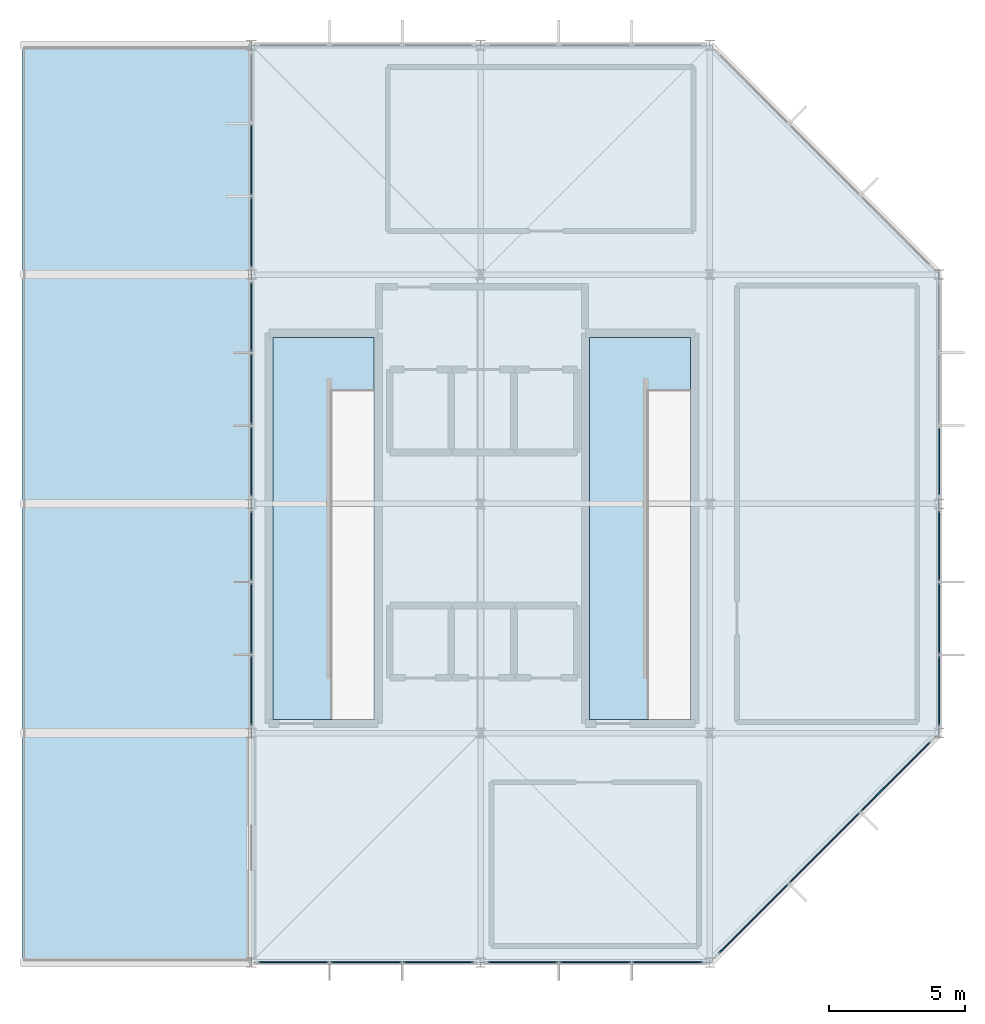
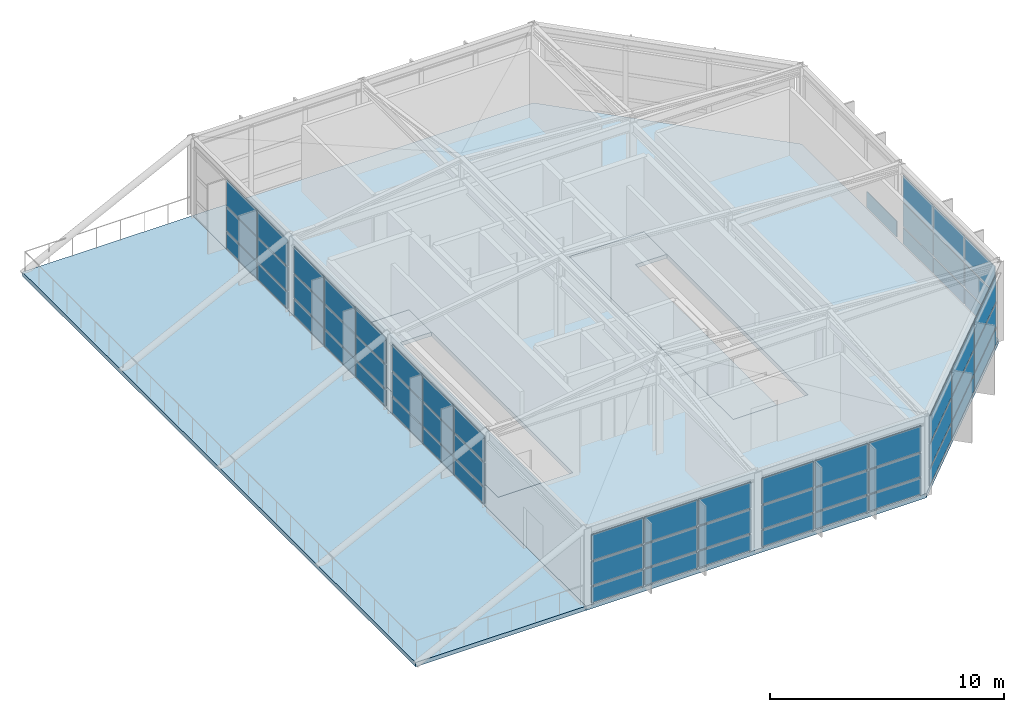
# One storey, part 6 of 9: 61 plates, 4 slabs, 8 elements without a shape of their own.
"""IFC4 building model written with IfcOpenShell, lengths in metres."""

from ifc_helpers import new_model, si_unit, direction, frame, origin, origin_2d, place, context, subcontext, project, spatial, polyline, rectangle, outline, extrude, material, layer, layer_set, type_object, element, aggregate, save


model = new_model("IFC4")

# Units and contexts
model_context = context("Model", 3, precision=1e-05, world=origin(), true_north=direction((0.0, 1.0)))
body_context = subcontext(model_context, "Body", "Model", "MODEL_VIEW")
ifc_project = project(units=[si_unit("LENGTHUNIT", "METRE"), si_unit("AREAUNIT", "SQUARE_METRE"), si_unit("VOLUMEUNIT", "CUBIC_METRE"), si_unit("PLANEANGLEUNIT", "RADIAN"), si_unit("MASSUNIT", "GRAM", prefix="KILO")], contexts=[model_context])

# Site, building, storey
site_placement = place(None, origin())
site = spatial("IfcSite", under=ifc_project, at=site_placement, CompositionType="ELEMENT")
building_placement = place(site_placement, origin())
building = spatial("IfcBuilding", under=site, at=building_placement, Name="Xuanlan Plaza Opera House", CompositionType="ELEMENT")
storey_placement = place(building_placement, frame((0.0, 0.0, 74.39990234375)))
storey = spatial("IfcBuildingStorey", under=building, at=storey_placement, Name="ROOF", CompositionType="ELEMENT", Elevation=74.39990234375)

# Curtain wall, plates
ifc_material_1 = material(Name="Anodised Aluminium 6063-T6 and Low-E Glass", Category="aluminium")
curtain_wall_type_1 = type_object("IfcCurtainWallType", Name="ENV-CW-CW-03", PredefinedType="USERDEFINED", material=ifc_material_1)
curtain_wall_1_placement = place(storey_placement, origin())
curtain_wall_1 = element("IfcCurtainWall", 1, at=curtain_wall_1_placement, inside=storey, type_object=curtain_wall_type_1, Name="Unitised Curtain Wall ROOF-001", ObjectType="UNITISED CURTAIN WALL", PredefinedType="USERDEFINED")
ifc_material_2 = material(Name="Laminated Acoustic Double Glazing", Category="glass")
ifc_layer_1 = layer(ifc_material_2, 0.0400390625)
ifc_layer_set_1 = layer_set([ifc_layer_1], Name="Laminated Acoustic Double Glazing")
plate_type = type_object("IfcPlateType", Name="ENV-CWP-04", PredefinedType="CURTAIN_PANEL", material=ifc_layer_set_1)
plate_1_placement = place(storey_placement, frame((135.949951171875, 42.0, 0.080078125), z_axis=(0.0, 0.0, 1.0), x_axis=(1.0, 0.0, 0.0)))
plate_1 = element("IfcPlate", 2, at=plate_1_placement, type_object=plate_type, Name="CW-03 panel 1.1", PredefinedType="CURTAIN_PANEL", context=body_context, shape_type="SweptSolid", body=[
    extrude(rectangle(XDim=2.550048828125, YDim=0.0400390625, at=origin_2d()), origin(), (0.0, 0.0, 1.0), 0.830078125),
])
plate_2_placement = place(storey_placement, frame((135.949951171875, 42.0, 0.990234375), z_axis=(0.0, 0.0, 1.0), x_axis=(1.0, 0.0, 0.0)))
plate_2 = element("IfcPlate", 3, at=plate_2_placement, type_object=plate_type, Name="CW-03 panel 1.2", PredefinedType="CURTAIN_PANEL", context=body_context, shape_type="SweptSolid", body=[
    extrude(rectangle(XDim=2.550048828125, YDim=0.0400390625, at=origin_2d()), origin(), (0.0, 0.0, 1.0), 1.219970703125),
])
plate_3_placement = place(storey_placement, frame((135.949951171875, 42.0, 2.2900390625), z_axis=(0.0, 0.0, 1.0), x_axis=(1.0, 0.0, 0.0)))
plate_3 = element("IfcPlate", 4, at=plate_3_placement, type_object=plate_type, Name="CW-03 panel 1.3", PredefinedType="CURTAIN_PANEL", context=body_context, shape_type="SweptSolid", body=[
    extrude(rectangle(XDim=2.550048828125, YDim=0.0400390625, at=origin_2d()), origin(), (0.0, 0.0, 1.0), 1.35009765625),
])
plate_4_placement = place(storey_placement, frame((138.60009765625, 42.0, 0.080078125), z_axis=(0.0, 0.0, 1.0), x_axis=(1.0, 0.0, 0.0)))
plate_4 = element("IfcPlate", 5, at=plate_4_placement, type_object=plate_type, Name="CW-03 panel 2.1", PredefinedType="CURTAIN_PANEL", context=body_context, shape_type="SweptSolid", body=[
    extrude(rectangle(XDim=2.590087890625, YDim=0.0400390625, at=origin_2d()), origin(), (0.0, 0.0, 1.0), 0.830078125),
])
plate_5_placement = place(storey_placement, frame((138.60009765625, 42.0, 0.990234375), z_axis=(0.0, 0.0, 1.0), x_axis=(1.0, 0.0, 0.0)))
plate_5 = element("IfcPlate", 6, at=plate_5_placement, type_object=plate_type, Name="CW-03 panel 2.2", PredefinedType="CURTAIN_PANEL", context=body_context, shape_type="SweptSolid", body=[
    extrude(rectangle(XDim=2.590087890625, YDim=0.0400390625, at=origin_2d()), origin(), (0.0, 0.0, 1.0), 1.219970703125),
])
plate_6_placement = place(storey_placement, frame((138.60009765625, 42.0, 2.2900390625), z_axis=(0.0, 0.0, 1.0), x_axis=(1.0, 0.0, 0.0)))
plate_6 = element("IfcPlate", 7, at=plate_6_placement, type_object=plate_type, Name="CW-03 panel 2.3", PredefinedType="CURTAIN_PANEL", context=body_context, shape_type="SweptSolid", body=[
    extrude(rectangle(XDim=2.590087890625, YDim=0.0400390625, at=origin_2d()), origin(), (0.0, 0.0, 1.0), 1.35009765625),
])
plate_7_placement = place(storey_placement, frame((141.25, 42.0, 0.080078125), z_axis=(0.0, 0.0, 1.0), x_axis=(1.0, 0.0, 0.0)))
plate_7 = element("IfcPlate", 8, at=plate_7_placement, type_object=plate_type, Name="CW-03 panel 3.1", PredefinedType="CURTAIN_PANEL", context=body_context, shape_type="SweptSolid", body=[
    extrude(rectangle(XDim=2.550048828125, YDim=0.0400390625, at=origin_2d()), origin(), (0.0, 0.0, 1.0), 0.830078125),
])
plate_8_placement = place(storey_placement, frame((141.25, 42.0, 0.990234375), z_axis=(0.0, 0.0, 1.0), x_axis=(1.0, 0.0, 0.0)))
plate_8 = element("IfcPlate", 9, at=plate_8_placement, type_object=plate_type, Name="CW-03 panel 3.2", PredefinedType="CURTAIN_PANEL", context=body_context, shape_type="SweptSolid", body=[
    extrude(rectangle(XDim=2.550048828125, YDim=0.0400390625, at=origin_2d()), origin(), (0.0, 0.0, 1.0), 1.219970703125),
])
plate_9_placement = place(storey_placement, frame((141.25, 42.0, 2.2900390625), z_axis=(0.0, 0.0, 1.0), x_axis=(1.0, 0.0, 0.0)))
plate_9 = element("IfcPlate", 10, at=plate_9_placement, type_object=plate_type, Name="CW-03 panel 3.3", PredefinedType="CURTAIN_PANEL", context=body_context, shape_type="SweptSolid", body=[
    extrude(rectangle(XDim=2.550048828125, YDim=0.0400390625, at=origin_2d()), origin(), (0.0, 0.0, 1.0), 1.35009765625),
])
aggregate(curtain_wall_1, [plate_1, plate_2, plate_3, plate_4, plate_5, plate_6, plate_7, plate_8, plate_9])

curtain_wall_type_2 = type_object("IfcCurtainWallType", Name="ENV-CW-CW-04", PredefinedType="USERDEFINED", material=ifc_material_1)
curtain_wall_2_placement = place(storey_placement, origin())
curtain_wall_2 = element("IfcCurtainWall", 11, at=curtain_wall_2_placement, inside=storey, type_object=curtain_wall_type_2, Name="Unitised Curtain Wall ROOF-002", ObjectType="UNITISED CURTAIN WALL", PredefinedType="USERDEFINED")
plate_10_placement = place(storey_placement, frame((144.35009765625, 42.0, 0.080078125), z_axis=(0.0, 0.0, 1.0), x_axis=(1.0, 0.0, 0.0)))
plate_10 = element("IfcPlate", 12, at=plate_10_placement, type_object=plate_type, Name="CW-04 panel 1.1", PredefinedType="CURTAIN_PANEL", context=body_context, shape_type="SweptSolid", body=[
    extrude(rectangle(XDim=2.550048828125, YDim=0.0400390625, at=origin_2d()), origin(), (0.0, 0.0, 1.0), 0.830078125),
])
plate_11_placement = place(storey_placement, frame((144.35009765625, 42.0, 0.990234375), z_axis=(0.0, 0.0, 1.0), x_axis=(1.0, 0.0, 0.0)))
plate_11 = element("IfcPlate", 13, at=plate_11_placement, type_object=plate_type, Name="CW-04 panel 1.2", PredefinedType="CURTAIN_PANEL", context=body_context, shape_type="SweptSolid", body=[
    extrude(rectangle(XDim=2.550048828125, YDim=0.0400390625, at=origin_2d()), origin(), (0.0, 0.0, 1.0), 1.219970703125),
])
plate_12_placement = place(storey_placement, frame((144.35009765625, 42.0, 2.2900390625), z_axis=(0.0, 0.0, 1.0), x_axis=(1.0, 0.0, 0.0)))
plate_12 = element("IfcPlate", 14, at=plate_12_placement, type_object=plate_type, Name="CW-04 panel 1.3", PredefinedType="CURTAIN_PANEL", context=body_context, shape_type="SweptSolid", body=[
    extrude(rectangle(XDim=2.550048828125, YDim=0.0400390625, at=origin_2d()), origin(), (0.0, 0.0, 1.0), 1.35009765625),
])
plate_13_placement = place(storey_placement, frame((147.0, 42.0, 0.080078125), z_axis=(0.0, 0.0, 1.0), x_axis=(1.0, 0.0, 0.0)))
plate_13 = element("IfcPlate", 15, at=plate_13_placement, type_object=plate_type, Name="CW-04 panel 2.1", PredefinedType="CURTAIN_PANEL", context=body_context, shape_type="SweptSolid", body=[
    extrude(rectangle(XDim=2.590087890625, YDim=0.0400390625, at=origin_2d()), origin(), (0.0, 0.0, 1.0), 0.830078125),
])
plate_14_placement = place(storey_placement, frame((147.0, 42.0, 0.990234375), z_axis=(0.0, 0.0, 1.0), x_axis=(1.0, 0.0, 0.0)))
plate_14 = element("IfcPlate", 16, at=plate_14_placement, type_object=plate_type, Name="CW-04 panel 2.2", PredefinedType="CURTAIN_PANEL", context=body_context, shape_type="SweptSolid", body=[
    extrude(rectangle(XDim=2.590087890625, YDim=0.0400390625, at=origin_2d()), origin(), (0.0, 0.0, 1.0), 1.219970703125),
])
plate_15_placement = place(storey_placement, frame((147.0, 42.0, 2.2900390625), z_axis=(0.0, 0.0, 1.0), x_axis=(1.0, 0.0, 0.0)))
plate_15 = element("IfcPlate", 17, at=plate_15_placement, type_object=plate_type, Name="CW-04 panel 2.3", PredefinedType="CURTAIN_PANEL", context=body_context, shape_type="SweptSolid", body=[
    extrude(rectangle(XDim=2.590087890625, YDim=0.0400390625, at=origin_2d()), origin(), (0.0, 0.0, 1.0), 1.35009765625),
])
plate_16_placement = place(storey_placement, frame((149.64990234375, 42.0, 0.080078125), z_axis=(0.0, 0.0, 1.0), x_axis=(1.0, 0.0, 0.0)))
plate_16 = element("IfcPlate", 18, at=plate_16_placement, type_object=plate_type, Name="CW-04 panel 3.1", PredefinedType="CURTAIN_PANEL", context=body_context, shape_type="SweptSolid", body=[
    extrude(rectangle(XDim=2.550048828125, YDim=0.0400390625, at=origin_2d()), origin(), (0.0, 0.0, 1.0), 0.830078125),
])
plate_17_placement = place(storey_placement, frame((149.64990234375, 42.0, 0.990234375), z_axis=(0.0, 0.0, 1.0), x_axis=(1.0, 0.0, 0.0)))
plate_17 = element("IfcPlate", 19, at=plate_17_placement, type_object=plate_type, Name="CW-04 panel 3.2", PredefinedType="CURTAIN_PANEL", context=body_context, shape_type="SweptSolid", body=[
    extrude(rectangle(XDim=2.550048828125, YDim=0.0400390625, at=origin_2d()), origin(), (0.0, 0.0, 1.0), 1.219970703125),
])
plate_18_placement = place(storey_placement, frame((149.64990234375, 42.0, 2.2900390625), z_axis=(0.0, 0.0, 1.0), x_axis=(1.0, 0.0, 0.0)))
plate_18 = element("IfcPlate", 20, at=plate_18_placement, type_object=plate_type, Name="CW-04 panel 3.3", PredefinedType="CURTAIN_PANEL", context=body_context, shape_type="SweptSolid", body=[
    extrude(rectangle(XDim=2.550048828125, YDim=0.0400390625, at=origin_2d()), origin(), (0.0, 0.0, 1.0), 1.35009765625),
])
aggregate(curtain_wall_2, [plate_10, plate_11, plate_12, plate_13, plate_14, plate_15, plate_16, plate_17, plate_18])

curtain_wall_3_placement = place(storey_placement, origin())
curtain_wall_3 = element("IfcCurtainWall", 21, at=curtain_wall_3_placement, inside=storey, type_object=curtain_wall_type_1, Name="Unitised Curtain Wall ROOF-003", ObjectType="UNITISED CURTAIN WALL", PredefinedType="USERDEFINED")
plate_19_placement = place(storey_placement, frame((152.796875, 43.596923828125, 0.080078125), z_axis=(0.0, 0.0, 1.0), x_axis=(0.707106781187, 0.707106781187, 0.0)))
plate_19 = element("IfcPlate", 22, at=plate_19_placement, type_object=plate_type, Name="CW-03 panel 1.1", PredefinedType="CURTAIN_PANEL", context=body_context, shape_type="SweptSolid", body=[
    extrude(rectangle(XDim=3.58154296875, YDim=0.0400390625, at=origin_2d()), origin(), (0.0, 0.0, 1.0), 0.830078125),
])
plate_20_placement = place(storey_placement, frame((152.796875, 43.596923828125, 0.990234375), z_axis=(0.0, 0.0, 1.0), x_axis=(0.707106781187, 0.707106781187, 0.0)))
plate_20 = element("IfcPlate", 23, at=plate_20_placement, type_object=plate_type, Name="CW-03 panel 1.2", PredefinedType="CURTAIN_PANEL", context=body_context, shape_type="SweptSolid", body=[
    extrude(rectangle(XDim=3.58154296875, YDim=0.0400390625, at=origin_2d()), origin(), (0.0, 0.0, 1.0), 1.219970703125),
])
plate_21_placement = place(storey_placement, frame((152.796875, 43.596923828125, 2.2900390625), z_axis=(0.0, 0.0, 1.0), x_axis=(0.707106781187, 0.707106781187, 0.0)))
plate_21 = element("IfcPlate", 24, at=plate_21_placement, type_object=plate_type, Name="CW-03 panel 1.3", PredefinedType="CURTAIN_PANEL", context=body_context, shape_type="SweptSolid", body=[
    extrude(rectangle(XDim=3.58154296875, YDim=0.0400390625, at=origin_2d()), origin(), (0.0, 0.0, 1.0), 1.35009765625),
])
plate_22_placement = place(storey_placement, frame((155.39990234375, 46.199951171875, 0.080078125), z_axis=(0.0, 0.0, 1.0), x_axis=(0.707106781187, 0.707106781187, 0.0)))
plate_22 = element("IfcPlate", 25, at=plate_22_placement, type_object=plate_type, Name="CW-03 panel 2.1", PredefinedType="CURTAIN_PANEL", context=body_context, shape_type="SweptSolid", body=[
    extrude(rectangle(XDim=3.62158203125, YDim=0.0400390625, at=origin_2d()), origin(), (0.0, 0.0, 1.0), 0.830078125),
])
plate_23_placement = place(storey_placement, frame((155.39990234375, 46.199951171875, 0.990234375), z_axis=(0.0, 0.0, 1.0), x_axis=(0.707106781187, 0.707106781187, 0.0)))
plate_23 = element("IfcPlate", 26, at=plate_23_placement, type_object=plate_type, Name="CW-03 panel 2.2", PredefinedType="CURTAIN_PANEL", context=body_context, shape_type="SweptSolid", body=[
    extrude(rectangle(XDim=3.62158203125, YDim=0.0400390625, at=origin_2d()), origin(), (0.0, 0.0, 1.0), 1.219970703125),
])
plate_24_placement = place(storey_placement, frame((155.39990234375, 46.199951171875, 2.2900390625), z_axis=(0.0, 0.0, 1.0), x_axis=(0.707106781187, 0.707106781187, 0.0)))
plate_24 = element("IfcPlate", 27, at=plate_24_placement, type_object=plate_type, Name="CW-03 panel 2.3", PredefinedType="CURTAIN_PANEL", context=body_context, shape_type="SweptSolid", body=[
    extrude(rectangle(XDim=3.62158203125, YDim=0.0400390625, at=origin_2d()), origin(), (0.0, 0.0, 1.0), 1.35009765625),
])
plate_25_placement = place(storey_placement, frame((158.003173828125, 48.80322265625, 0.080078125), z_axis=(0.0, 0.0, 1.0), x_axis=(0.707106781187, 0.707106781187, 0.0)))
plate_25 = element("IfcPlate", 28, at=plate_25_placement, type_object=plate_type, Name="CW-03 panel 3.1", PredefinedType="CURTAIN_PANEL", context=body_context, shape_type="SweptSolid", body=[
    extrude(rectangle(XDim=3.58154296875, YDim=0.0400390625, at=origin_2d()), origin(), (0.0, 0.0, 1.0), 0.830078125),
])
plate_26_placement = place(storey_placement, frame((158.003173828125, 48.80322265625, 0.990234375), z_axis=(0.0, 0.0, 1.0), x_axis=(0.707106781187, 0.707106781187, 0.0)))
plate_26 = element("IfcPlate", 29, at=plate_26_placement, type_object=plate_type, Name="CW-03 panel 3.2", PredefinedType="CURTAIN_PANEL", context=body_context, shape_type="SweptSolid", body=[
    extrude(rectangle(XDim=3.58154296875, YDim=0.0400390625, at=origin_2d()), origin(), (0.0, 0.0, 1.0), 1.219970703125),
])
plate_27_placement = place(storey_placement, frame((158.003173828125, 48.80322265625, 2.2900390625), z_axis=(0.0, 0.0, 1.0), x_axis=(0.707106781187, 0.707106781187, 0.0)))
plate_27 = element("IfcPlate", 30, at=plate_27_placement, type_object=plate_type, Name="CW-03 panel 3.3", PredefinedType="CURTAIN_PANEL", context=body_context, shape_type="SweptSolid", body=[
    extrude(rectangle(XDim=3.58154296875, YDim=0.0400390625, at=origin_2d()), origin(), (0.0, 0.0, 1.0), 1.35009765625),
])
aggregate(curtain_wall_3, [plate_19, plate_20, plate_21, plate_22, plate_23, plate_24, plate_25, plate_26, plate_27])

curtain_wall_4_placement = place(storey_placement, origin())
curtain_wall_4 = element("IfcCurtainWall", 31, at=curtain_wall_4_placement, inside=storey, type_object=curtain_wall_type_2, Name="Unitised Curtain Wall ROOF-004", ObjectType="UNITISED CURTAIN WALL", PredefinedType="USERDEFINED")
plate_28_placement = place(storey_placement, frame((159.60009765625, 51.949951171875, 0.080078125), z_axis=(0.0, 0.0, 1.0), x_axis=(0.0, 1.0, 0.0)))
plate_28 = element("IfcPlate", 32, at=plate_28_placement, type_object=plate_type, Name="CW-04 panel 1.1", PredefinedType="CURTAIN_PANEL", context=body_context, shape_type="SweptSolid", body=[
    extrude(rectangle(XDim=2.550048828125, YDim=0.0400390625, at=origin_2d()), origin(), (0.0, 0.0, 1.0), 0.830078125),
])
plate_29_placement = place(storey_placement, frame((159.60009765625, 51.949951171875, 0.990234375), z_axis=(0.0, 0.0, 1.0), x_axis=(0.0, 1.0, 0.0)))
plate_29 = element("IfcPlate", 33, at=plate_29_placement, type_object=plate_type, Name="CW-04 panel 1.2", PredefinedType="CURTAIN_PANEL", context=body_context, shape_type="SweptSolid", body=[
    extrude(rectangle(XDim=2.550048828125, YDim=0.0400390625, at=origin_2d()), origin(), (0.0, 0.0, 1.0), 1.219970703125),
])
plate_30_placement = place(storey_placement, frame((159.60009765625, 51.949951171875, 2.2900390625), z_axis=(0.0, 0.0, 1.0), x_axis=(0.0, 1.0, 0.0)))
plate_30 = element("IfcPlate", 34, at=plate_30_placement, type_object=plate_type, Name="CW-04 panel 1.3", PredefinedType="CURTAIN_PANEL", context=body_context, shape_type="SweptSolid", body=[
    extrude(rectangle(XDim=2.550048828125, YDim=0.0400390625, at=origin_2d()), origin(), (0.0, 0.0, 1.0), 1.35009765625),
])
plate_31_placement = place(storey_placement, frame((159.60009765625, 54.60009765625, 0.080078125), z_axis=(0.0, 0.0, 1.0), x_axis=(0.0, 1.0, 0.0)))
plate_31 = element("IfcPlate", 35, at=plate_31_placement, type_object=plate_type, Name="CW-04 panel 2.1", PredefinedType="CURTAIN_PANEL", context=body_context, shape_type="SweptSolid", body=[
    extrude(rectangle(XDim=2.590087890625, YDim=0.0400390625, at=origin_2d()), origin(), (0.0, 0.0, 1.0), 0.830078125),
])
plate_32_placement = place(storey_placement, frame((159.60009765625, 54.60009765625, 0.990234375), z_axis=(0.0, 0.0, 1.0), x_axis=(0.0, 1.0, 0.0)))
plate_32 = element("IfcPlate", 36, at=plate_32_placement, type_object=plate_type, Name="CW-04 panel 2.2", PredefinedType="CURTAIN_PANEL", context=body_context, shape_type="SweptSolid", body=[
    extrude(rectangle(XDim=2.590087890625, YDim=0.0400390625, at=origin_2d()), origin(), (0.0, 0.0, 1.0), 1.219970703125),
])
plate_33_placement = place(storey_placement, frame((159.60009765625, 54.60009765625, 2.2900390625), z_axis=(0.0, 0.0, 1.0), x_axis=(0.0, 1.0, 0.0)))
plate_33 = element("IfcPlate", 37, at=plate_33_placement, type_object=plate_type, Name="CW-04 panel 2.3", PredefinedType="CURTAIN_PANEL", context=body_context, shape_type="SweptSolid", body=[
    extrude(rectangle(XDim=2.590087890625, YDim=0.0400390625, at=origin_2d()), origin(), (0.0, 0.0, 1.0), 1.35009765625),
])
plate_34_placement = place(storey_placement, frame((159.60009765625, 57.25, 0.080078125), z_axis=(0.0, 0.0, 1.0), x_axis=(0.0, 1.0, 0.0)))
plate_34 = element("IfcPlate", 38, at=plate_34_placement, type_object=plate_type, Name="CW-04 panel 3.1", PredefinedType="CURTAIN_PANEL", context=body_context, shape_type="SweptSolid", body=[
    extrude(rectangle(XDim=2.550048828125, YDim=0.0400390625, at=origin_2d()), origin(), (0.0, 0.0, 1.0), 0.830078125),
])
plate_35_placement = place(storey_placement, frame((159.60009765625, 57.25, 0.990234375), z_axis=(0.0, 0.0, 1.0), x_axis=(0.0, 1.0, 0.0)))
plate_35 = element("IfcPlate", 39, at=plate_35_placement, type_object=plate_type, Name="CW-04 panel 3.2", PredefinedType="CURTAIN_PANEL", context=body_context, shape_type="SweptSolid", body=[
    extrude(rectangle(XDim=2.550048828125, YDim=0.0400390625, at=origin_2d()), origin(), (0.0, 0.0, 1.0), 1.219970703125),
])
plate_36_placement = place(storey_placement, frame((159.60009765625, 57.25, 2.2900390625), z_axis=(0.0, 0.0, 1.0), x_axis=(0.0, 1.0, 0.0)))
plate_36 = element("IfcPlate", 40, at=plate_36_placement, type_object=plate_type, Name="CW-04 panel 3.3", PredefinedType="CURTAIN_PANEL", context=body_context, shape_type="SweptSolid", body=[
    extrude(rectangle(XDim=2.550048828125, YDim=0.0400390625, at=origin_2d()), origin(), (0.0, 0.0, 1.0), 1.35009765625),
])
aggregate(curtain_wall_4, [plate_28, plate_29, plate_30, plate_31, plate_32, plate_33, plate_34, plate_35, plate_36])

# Curtain wall, plate
curtain_wall_5_placement = place(storey_placement, origin())
curtain_wall_5 = element("IfcCurtainWall", 41, at=curtain_wall_5_placement, inside=storey, type_object=curtain_wall_type_1, Name="Unitised Curtain Wall ROOF-005", ObjectType="UNITISED CURTAIN WALL", PredefinedType="USERDEFINED")
plate_37_placement = place(storey_placement, frame((159.60009765625, 60.35009765625, 0.080078125), z_axis=(0.0, 0.0, 1.0), x_axis=(0.0, 1.0, 0.0)))
plate_37 = element("IfcPlate", 42, at=plate_37_placement, type_object=plate_type, Name="CW-03 panel 1.1", PredefinedType="CURTAIN_PANEL", context=body_context, shape_type="SweptSolid", body=[
    extrude(rectangle(XDim=2.550048828125, YDim=0.0400390625, at=origin_2d()), origin(), (0.0, 0.0, 1.0), 0.830078125),
])
aggregate(curtain_wall_5, [plate_37])

# Curtain wall, plates
curtain_wall_6_placement = place(storey_placement, origin())
curtain_wall_6 = element("IfcCurtainWall", 43, at=curtain_wall_6_placement, inside=storey, type_object=curtain_wall_type_1, Name="Unitised Curtain Wall ROOF-009", ObjectType="UNITISED CURTAIN WALL", PredefinedType="USERDEFINED")
plate_38_placement = place(storey_placement, frame((134.39990234375, 71.39990234375, 0.080078125), z_axis=(0.0, 0.0, 1.0), x_axis=(0.0, -1.0, 0.0)))
plate_38 = element("IfcPlate", 44, at=plate_38_placement, type_object=plate_type, Name="CW-03 panel 2.1", PredefinedType="CURTAIN_PANEL", context=body_context, shape_type="SweptSolid", body=[
    extrude(rectangle(XDim=2.590087890625, YDim=0.0400390625, at=origin_2d()), origin(), (0.0, 0.0, 1.0), 0.830078125),
])
plate_39_placement = place(storey_placement, frame((134.39990234375, 71.39990234375, 0.990234375), z_axis=(0.0, 0.0, 1.0), x_axis=(0.0, -1.0, 0.0)))
plate_39 = element("IfcPlate", 45, at=plate_39_placement, type_object=plate_type, Name="CW-03 panel 2.2", PredefinedType="CURTAIN_PANEL", context=body_context, shape_type="SweptSolid", body=[
    extrude(rectangle(XDim=2.590087890625, YDim=0.0400390625, at=origin_2d()), origin(), (0.0, 0.0, 1.0), 1.219970703125),
])
plate_40_placement = place(storey_placement, frame((134.39990234375, 71.39990234375, 2.2900390625), z_axis=(0.0, 0.0, 1.0), x_axis=(0.0, -1.0, 0.0)))
plate_40 = element("IfcPlate", 46, at=plate_40_placement, type_object=plate_type, Name="CW-03 panel 2.3", PredefinedType="CURTAIN_PANEL", context=body_context, shape_type="SweptSolid", body=[
    extrude(rectangle(XDim=2.590087890625, YDim=0.0400390625, at=origin_2d()), origin(), (0.0, 0.0, 1.0), 1.35009765625),
])
plate_41_placement = place(storey_placement, frame((134.39990234375, 68.75, 0.080078125), z_axis=(0.0, 0.0, 1.0), x_axis=(0.0, -1.0, 0.0)))
plate_41 = element("IfcPlate", 47, at=plate_41_placement, type_object=plate_type, Name="CW-03 panel 3.1", PredefinedType="CURTAIN_PANEL", context=body_context, shape_type="SweptSolid", body=[
    extrude(rectangle(XDim=2.550048828125, YDim=0.0400390625, at=origin_2d()), origin(), (0.0, 0.0, 1.0), 0.830078125),
])
plate_42_placement = place(storey_placement, frame((134.39990234375, 68.75, 0.990234375), z_axis=(0.0, 0.0, 1.0), x_axis=(0.0, -1.0, 0.0)))
plate_42 = element("IfcPlate", 48, at=plate_42_placement, type_object=plate_type, Name="CW-03 panel 3.2", PredefinedType="CURTAIN_PANEL", context=body_context, shape_type="SweptSolid", body=[
    extrude(rectangle(XDim=2.550048828125, YDim=0.0400390625, at=origin_2d()), origin(), (0.0, 0.0, 1.0), 1.219970703125),
])
plate_43_placement = place(storey_placement, frame((134.39990234375, 68.75, 2.2900390625), z_axis=(0.0, 0.0, 1.0), x_axis=(0.0, -1.0, 0.0)))
plate_43 = element("IfcPlate", 49, at=plate_43_placement, type_object=plate_type, Name="CW-03 panel 3.3", PredefinedType="CURTAIN_PANEL", context=body_context, shape_type="SweptSolid", body=[
    extrude(rectangle(XDim=2.550048828125, YDim=0.0400390625, at=origin_2d()), origin(), (0.0, 0.0, 1.0), 1.35009765625),
])
aggregate(curtain_wall_6, [plate_38, plate_39, plate_40, plate_41, plate_42, plate_43])

curtain_wall_7_placement = place(storey_placement, origin())
curtain_wall_7 = element("IfcCurtainWall", 50, at=curtain_wall_7_placement, inside=storey, type_object=curtain_wall_type_2, Name="Unitised Curtain Wall ROOF-010", ObjectType="UNITISED CURTAIN WALL", PredefinedType="USERDEFINED")
plate_44_placement = place(storey_placement, frame((134.39990234375, 65.64990234375, 0.080078125), z_axis=(0.0, 0.0, 1.0), x_axis=(0.0, -1.0, 0.0)))
plate_44 = element("IfcPlate", 51, at=plate_44_placement, type_object=plate_type, Name="CW-04 panel 1.1", PredefinedType="CURTAIN_PANEL", context=body_context, shape_type="SweptSolid", body=[
    extrude(rectangle(XDim=2.550048828125, YDim=0.0400390625, at=origin_2d()), origin(), (0.0, 0.0, 1.0), 0.830078125),
])
plate_45_placement = place(storey_placement, frame((134.39990234375, 65.64990234375, 0.990234375), z_axis=(0.0, 0.0, 1.0), x_axis=(0.0, -1.0, 0.0)))
plate_45 = element("IfcPlate", 52, at=plate_45_placement, type_object=plate_type, Name="CW-04 panel 1.2", PredefinedType="CURTAIN_PANEL", context=body_context, shape_type="SweptSolid", body=[
    extrude(rectangle(XDim=2.550048828125, YDim=0.0400390625, at=origin_2d()), origin(), (0.0, 0.0, 1.0), 1.219970703125),
])
plate_46_placement = place(storey_placement, frame((134.39990234375, 65.64990234375, 2.2900390625), z_axis=(0.0, 0.0, 1.0), x_axis=(0.0, -1.0, 0.0)))
plate_46 = element("IfcPlate", 53, at=plate_46_placement, type_object=plate_type, Name="CW-04 panel 1.3", PredefinedType="CURTAIN_PANEL", context=body_context, shape_type="SweptSolid", body=[
    extrude(rectangle(XDim=2.550048828125, YDim=0.0400390625, at=origin_2d()), origin(), (0.0, 0.0, 1.0), 1.35009765625),
])
plate_47_placement = place(storey_placement, frame((134.39990234375, 63.0, 0.080078125), z_axis=(0.0, 0.0, 1.0), x_axis=(0.0, -1.0, 0.0)))
plate_47 = element("IfcPlate", 54, at=plate_47_placement, type_object=plate_type, Name="CW-04 panel 2.1", PredefinedType="CURTAIN_PANEL", context=body_context, shape_type="SweptSolid", body=[
    extrude(rectangle(XDim=2.590087890625, YDim=0.0400390625, at=origin_2d()), origin(), (0.0, 0.0, 1.0), 0.830078125),
])
plate_48_placement = place(storey_placement, frame((134.39990234375, 63.0, 0.990234375), z_axis=(0.0, 0.0, 1.0), x_axis=(0.0, -1.0, 0.0)))
plate_48 = element("IfcPlate", 55, at=plate_48_placement, type_object=plate_type, Name="CW-04 panel 2.2", PredefinedType="CURTAIN_PANEL", context=body_context, shape_type="SweptSolid", body=[
    extrude(rectangle(XDim=2.590087890625, YDim=0.0400390625, at=origin_2d()), origin(), (0.0, 0.0, 1.0), 1.219970703125),
])
plate_49_placement = place(storey_placement, frame((134.39990234375, 63.0, 2.2900390625), z_axis=(0.0, 0.0, 1.0), x_axis=(0.0, -1.0, 0.0)))
plate_49 = element("IfcPlate", 56, at=plate_49_placement, type_object=plate_type, Name="CW-04 panel 2.3", PredefinedType="CURTAIN_PANEL", context=body_context, shape_type="SweptSolid", body=[
    extrude(rectangle(XDim=2.590087890625, YDim=0.0400390625, at=origin_2d()), origin(), (0.0, 0.0, 1.0), 1.35009765625),
])
plate_50_placement = place(storey_placement, frame((134.39990234375, 60.35009765625, 0.080078125), z_axis=(0.0, 0.0, 1.0), x_axis=(0.0, -1.0, 0.0)))
plate_50 = element("IfcPlate", 57, at=plate_50_placement, type_object=plate_type, Name="CW-04 panel 3.1", PredefinedType="CURTAIN_PANEL", context=body_context, shape_type="SweptSolid", body=[
    extrude(rectangle(XDim=2.550048828125, YDim=0.0400390625, at=origin_2d()), origin(), (0.0, 0.0, 1.0), 0.830078125),
])
plate_51_placement = place(storey_placement, frame((134.39990234375, 60.35009765625, 0.990234375), z_axis=(0.0, 0.0, 1.0), x_axis=(0.0, -1.0, 0.0)))
plate_51 = element("IfcPlate", 58, at=plate_51_placement, type_object=plate_type, Name="CW-04 panel 3.2", PredefinedType="CURTAIN_PANEL", context=body_context, shape_type="SweptSolid", body=[
    extrude(rectangle(XDim=2.550048828125, YDim=0.0400390625, at=origin_2d()), origin(), (0.0, 0.0, 1.0), 1.219970703125),
])
plate_52_placement = place(storey_placement, frame((134.39990234375, 60.35009765625, 2.2900390625), z_axis=(0.0, 0.0, 1.0), x_axis=(0.0, -1.0, 0.0)))
plate_52 = element("IfcPlate", 59, at=plate_52_placement, type_object=plate_type, Name="CW-04 panel 3.3", PredefinedType="CURTAIN_PANEL", context=body_context, shape_type="SweptSolid", body=[
    extrude(rectangle(XDim=2.550048828125, YDim=0.0400390625, at=origin_2d()), origin(), (0.0, 0.0, 1.0), 1.35009765625),
])
aggregate(curtain_wall_7, [plate_44, plate_45, plate_46, plate_47, plate_48, plate_49, plate_50, plate_51, plate_52])

curtain_wall_8_placement = place(storey_placement, origin())
curtain_wall_8 = element("IfcCurtainWall", 60, at=curtain_wall_8_placement, inside=storey, type_object=curtain_wall_type_1, Name="Unitised Curtain Wall ROOF-011", ObjectType="UNITISED CURTAIN WALL", PredefinedType="USERDEFINED")
plate_53_placement = place(storey_placement, frame((134.39990234375, 57.25, 0.080078125), z_axis=(0.0, 0.0, 1.0), x_axis=(0.0, -1.0, 0.0)))
plate_53 = element("IfcPlate", 61, at=plate_53_placement, type_object=plate_type, Name="CW-03 panel 1.1", PredefinedType="CURTAIN_PANEL", context=body_context, shape_type="SweptSolid", body=[
    extrude(rectangle(XDim=2.550048828125, YDim=0.0400390625, at=origin_2d()), origin(), (0.0, 0.0, 1.0), 0.830078125),
])
plate_54_placement = place(storey_placement, frame((134.39990234375, 57.25, 0.990234375), z_axis=(0.0, 0.0, 1.0), x_axis=(0.0, -1.0, 0.0)))
plate_54 = element("IfcPlate", 62, at=plate_54_placement, type_object=plate_type, Name="CW-03 panel 1.2", PredefinedType="CURTAIN_PANEL", context=body_context, shape_type="SweptSolid", body=[
    extrude(rectangle(XDim=2.550048828125, YDim=0.0400390625, at=origin_2d()), origin(), (0.0, 0.0, 1.0), 1.219970703125),
])
plate_55_placement = place(storey_placement, frame((134.39990234375, 57.25, 2.2900390625), z_axis=(0.0, 0.0, 1.0), x_axis=(0.0, -1.0, 0.0)))
plate_55 = element("IfcPlate", 63, at=plate_55_placement, type_object=plate_type, Name="CW-03 panel 1.3", PredefinedType="CURTAIN_PANEL", context=body_context, shape_type="SweptSolid", body=[
    extrude(rectangle(XDim=2.550048828125, YDim=0.0400390625, at=origin_2d()), origin(), (0.0, 0.0, 1.0), 1.35009765625),
])
plate_56_placement = place(storey_placement, frame((134.39990234375, 54.60009765625, 0.080078125), z_axis=(0.0, 0.0, 1.0), x_axis=(0.0, -1.0, 0.0)))
plate_56 = element("IfcPlate", 64, at=plate_56_placement, type_object=plate_type, Name="CW-03 panel 2.1", PredefinedType="CURTAIN_PANEL", context=body_context, shape_type="SweptSolid", body=[
    extrude(rectangle(XDim=2.590087890625, YDim=0.0400390625, at=origin_2d()), origin(), (0.0, 0.0, 1.0), 0.830078125),
])
plate_57_placement = place(storey_placement, frame((134.39990234375, 54.60009765625, 0.990234375), z_axis=(0.0, 0.0, 1.0), x_axis=(0.0, -1.0, 0.0)))
plate_57 = element("IfcPlate", 65, at=plate_57_placement, type_object=plate_type, Name="CW-03 panel 2.2", PredefinedType="CURTAIN_PANEL", context=body_context, shape_type="SweptSolid", body=[
    extrude(rectangle(XDim=2.590087890625, YDim=0.0400390625, at=origin_2d()), origin(), (0.0, 0.0, 1.0), 1.219970703125),
])
plate_58_placement = place(storey_placement, frame((134.39990234375, 54.60009765625, 2.2900390625), z_axis=(0.0, 0.0, 1.0), x_axis=(0.0, -1.0, 0.0)))
plate_58 = element("IfcPlate", 66, at=plate_58_placement, type_object=plate_type, Name="CW-03 panel 2.3", PredefinedType="CURTAIN_PANEL", context=body_context, shape_type="SweptSolid", body=[
    extrude(rectangle(XDim=2.590087890625, YDim=0.0400390625, at=origin_2d()), origin(), (0.0, 0.0, 1.0), 1.35009765625),
])
plate_59_placement = place(storey_placement, frame((134.39990234375, 51.949951171875, 0.080078125), z_axis=(0.0, 0.0, 1.0), x_axis=(0.0, -1.0, 0.0)))
plate_59 = element("IfcPlate", 67, at=plate_59_placement, type_object=plate_type, Name="CW-03 panel 3.1", PredefinedType="CURTAIN_PANEL", context=body_context, shape_type="SweptSolid", body=[
    extrude(rectangle(XDim=2.550048828125, YDim=0.0400390625, at=origin_2d()), origin(), (0.0, 0.0, 1.0), 0.830078125),
])
plate_60_placement = place(storey_placement, frame((134.39990234375, 51.949951171875, 0.990234375), z_axis=(0.0, 0.0, 1.0), x_axis=(0.0, -1.0, 0.0)))
plate_60 = element("IfcPlate", 68, at=plate_60_placement, type_object=plate_type, Name="CW-03 panel 3.2", PredefinedType="CURTAIN_PANEL", context=body_context, shape_type="SweptSolid", body=[
    extrude(rectangle(XDim=2.550048828125, YDim=0.0400390625, at=origin_2d()), origin(), (0.0, 0.0, 1.0), 1.219970703125),
])
plate_61_placement = place(storey_placement, frame((134.39990234375, 51.949951171875, 2.2900390625), z_axis=(0.0, 0.0, 1.0), x_axis=(0.0, -1.0, 0.0)))
plate_61 = element("IfcPlate", 69, at=plate_61_placement, type_object=plate_type, Name="CW-03 panel 3.3", PredefinedType="CURTAIN_PANEL", context=body_context, shape_type="SweptSolid", body=[
    extrude(rectangle(XDim=2.550048828125, YDim=0.0400390625, at=origin_2d()), origin(), (0.0, 0.0, 1.0), 1.35009765625),
])
aggregate(curtain_wall_8, [plate_53, plate_54, plate_55, plate_56, plate_57, plate_58, plate_59, plate_60, plate_61])

# Slabs
ifc_material_3 = material(Name="Concrete C40", Category="concrete")
ifc_layer_2 = layer(ifc_material_3, 0.199951171875)
ifc_layer_set_2 = layer_set([ifc_layer_2], Name="Concrete C40")
slab_type_1 = type_object("IfcSlabType", Name="INT-SLB-LND-20", PredefinedType="LANDING", material=ifc_layer_set_2)
slab_1_placement = place(storey_placement, frame((0.0, 0.0, -0.199951171875)))
element("IfcSlab", 70, at=slab_1_placement, inside=storey, type_object=slab_type_1, Name="Top Stairwell Arrival Landing ST-T1 ROOF", PredefinedType="LANDING", context=body_context, shape_type="SweptSolid", body=[
    extrude(outline(polyline([(135.199951171875, 50.89990234375), (137.35009765625, 50.89990234375), (137.35009765625, 62.97509765625), (138.89990234375, 62.97509765625), (138.89990234375, 64.89990234375), (135.199951171875, 64.89990234375), (135.199951171875, 50.89990234375)])), origin(), (0.0, 0.0, 1.0), 0.199951171875),
])
slab_2_placement = place(storey_placement, frame((0.0, 0.0, -0.199951171875)))
element("IfcSlab", 71, at=slab_2_placement, inside=storey, type_object=slab_type_1, Name="Top Stairwell Arrival Landing ST-T2 ROOF", PredefinedType="LANDING", context=body_context, shape_type="SweptSolid", body=[
    extrude(outline(polyline([(146.800048828125, 50.89990234375), (148.949951171875, 50.89990234375), (148.949951171875, 62.97509765625), (150.5, 62.97509765625), (150.5, 64.89990234375), (146.800048828125, 64.89990234375), (146.800048828125, 50.89990234375)])), origin(), (0.0, 0.0, 1.0), 0.199951171875),
])
ifc_layer_3 = layer(ifc_material_3, 0.22998046875)
ifc_layer_set_3 = layer_set([ifc_layer_3], Name="Concrete C40")
slab_type_2 = type_object("IfcSlabType", Name="STR-SLB-RF-03", PredefinedType="ROOF", material=ifc_layer_set_3)
slab_3_placement = place(storey_placement, frame((0.0, 0.0, -0.22998046875)))
element("IfcSlab", 72, at=slab_3_placement, inside=storey, type_object=slab_type_2, Name="Tower Crown Sky-Lantern Structural Deck Slab", PredefinedType="ROOF", context=body_context, shape_type="SweptSolid", body=[
    extrude(outline(polyline([(134.39990234375, 42.0), (151.199951171875, 42.0), (159.60009765625, 50.39990234375), (159.60009765625, 67.199951171875), (151.199951171875, 75.60009765625), (134.39990234375, 75.60009765625), (134.39990234375, 42.0)]), holes=[polyline([(135.199951171875, 50.89990234375), (138.89990234375, 50.89990234375), (138.89990234375, 64.89990234375), (135.199951171875, 64.89990234375), (135.199951171875, 50.89990234375)]), polyline([(146.800048828125, 50.89990234375), (150.5, 50.89990234375), (150.5, 64.89990234375), (146.800048828125, 64.89990234375), (146.800048828125, 50.89990234375)])]), origin(), (0.0, 0.0, 1.0), 0.22998046875),
])
ifc_layer_4 = layer(ifc_material_3, 0.219970703125)
ifc_layer_set_4 = layer_set([ifc_layer_4], Name="Concrete C40")
slab_type_3 = type_object("IfcSlabType", Name="STR-SLB-SL-TR1", PredefinedType="FLOOR", material=ifc_layer_set_4)
slab_4_placement = place(storey_placement, frame((0.0, 0.0, -0.219970703125)))
element("IfcSlab", 73, at=slab_4_placement, inside=storey, type_object=slab_type_3, Name="Tower Crown Maintenance Roof Deck", PredefinedType="FLOOR", context=body_context, shape_type="SweptSolid", body=[
    extrude(outline(polyline([(126.0, 42.0), (134.39990234375, 42.0), (134.39990234375, 75.60009765625), (126.0, 75.60009765625), (126.0, 42.0)])), origin(), (0.0, 0.0, 1.0), 0.219970703125),
])

save(model, "model.ifc")
